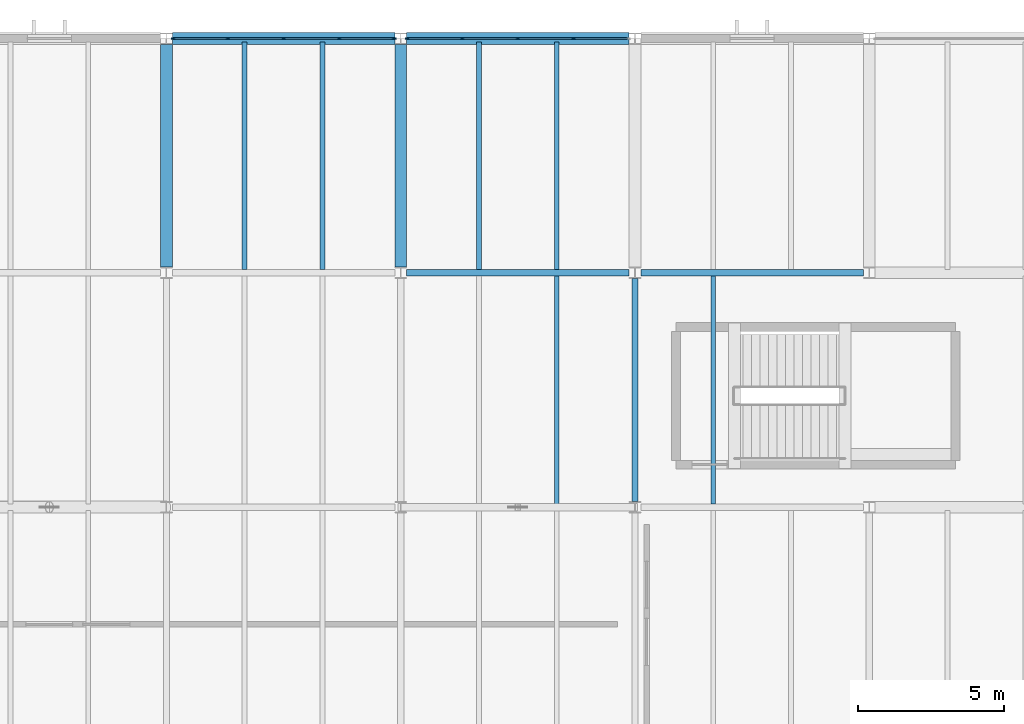
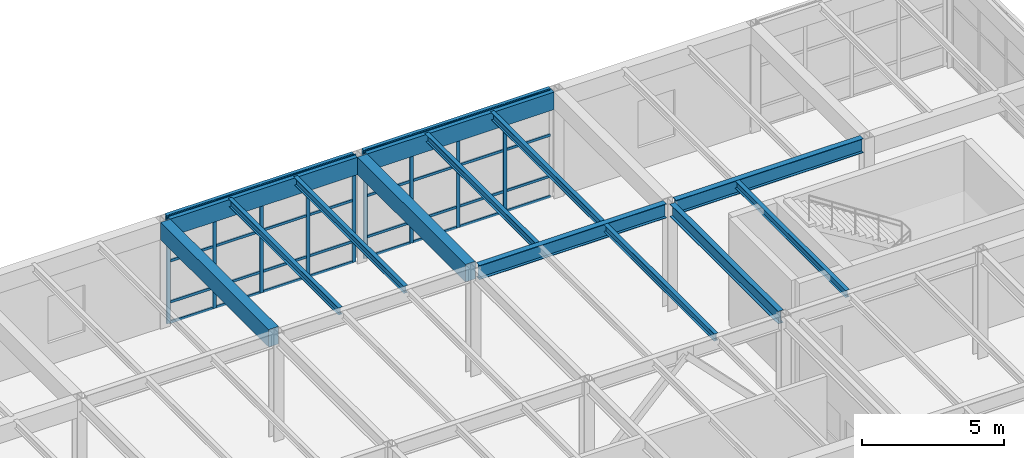
# One storey, part 23 of 60: 41 members, 13 beams, 2 elements without a shape of their own.
"""IFC4 building model written with IfcOpenShell, lengths in metres."""

from ifc_helpers import new_model, si_unit, direction, frame, origin, origin_2d, place, context, subcontext, project, spatial, rectangle, i_section, extrude, material, layer, layer_set, material_profile, profile_set, type_object, element, aggregate, save


model = new_model("IFC4")

# Units and contexts
model_context = context("Model", 3, precision=1e-05, world=origin(), true_north=direction((0.0, 1.0)))
body_context = subcontext(model_context, "Body", "Model", "MODEL_VIEW")
ifc_project = project(units=[si_unit("LENGTHUNIT", "METRE"), si_unit("AREAUNIT", "SQUARE_METRE"), si_unit("VOLUMEUNIT", "CUBIC_METRE"), si_unit("PLANEANGLEUNIT", "RADIAN"), si_unit("MASSUNIT", "GRAM", prefix="KILO")], contexts=[model_context])

# Site, building, storey
site_placement = place(None, origin())
site = spatial("IfcSite", under=ifc_project, at=site_placement, CompositionType="ELEMENT")
building_placement = place(site_placement, origin())
building = spatial("IfcBuilding", under=site, at=building_placement, Name="Varnela Railside Interchange", CompositionType="ELEMENT")
storey_placement = place(building_placement, frame((0.0, 0.0, 6.300048828125)))
storey = spatial("IfcBuildingStorey", under=building, at=storey_placement, Name="L01", CompositionType="ELEMENT", Elevation=6.300048828125)

# Beams
ifc_material_1 = material(Name="Steel AR 350 (350 MPa)", Category="steel")
ifc_material_profile_1 = material_profile(ifc_material_1, i_section(OverallWidth=0.1650390625, OverallDepth=0.31005859375, WebThickness=0.005859375, FlangeThickness=0.009765625, at=origin_2d()), Name="W310x38.7")
ifc_profile_set_1 = profile_set([ifc_material_profile_1], Name="Steel AR 350 (350 MPa)")
beam_type_1 = type_object("IfcBeamType", Name="Composite Floor Joist J-04", PredefinedType="JOIST", material=ifc_profile_set_1)
for number, where, z_axis, x_axis, name in (
    (1, (22.669921875, 86.114501953125, 4.445068359375), (0.0, 1.0, 0.0), (-1.0, 0.0, 0.0), "Composite Floor Joist J-04 (L01) (BM-1546)"),
    (2, (25.330078125, 86.114501953125, 4.445068359375), (0.0, 1.0, 0.0), (-1.0, 0.0, 0.0), "Composite Floor Joist J-04 (L01) (BM-1547)"),
    (3, (33.330078125, 78.114501953125, 4.445068359375), (0.0, 1.0, 0.0), (-1.0, 0.0, 0.0), "Composite Floor Joist J-04 (L01) (BM-1565)"),
    (4, (30.669921875, 86.114501953125, 4.445068359375), (0.0, 1.0, 0.0), (-1.0, 0.0, 0.0), "Composite Floor Joist J-04 (L01) (BM-1556)"),
    (5, (33.330078125, 86.114501953125, 4.445068359375), (0.0, 1.0, 0.0), (-1.0, 0.0, 0.0), "Composite Floor Joist J-04 (L01) (BM-1557)"),
    (6, (38.669921875, 78.114501953125, 4.445068359375), (0.0, 1.0, 0.0), (-1.0, 0.0, 0.0), "Composite Floor Joist J-04 (L01) (BM-1578)"),
):
    element("IfcBeam", number, at=place(storey_placement, frame(where, z_axis=z_axis, x_axis=x_axis)), inside=storey, type_object=beam_type_1, Name=name, PredefinedType="JOIST", context=body_context, shape_type="SweptSolid", body=[
        extrude(i_section(OverallWidth=0.1650390625, OverallDepth=0.31005859375, WebThickness=0.005859375, FlangeThickness=0.009765625, at=origin_2d()), origin(), (0.0, 0.0, 1.0), 7.77099609375),
    ])
ifc_material_profile_2 = material_profile(ifc_material_1, i_section(OverallWidth=0.2119140625, OverallDepth=0.5439453125, WebThickness=0.01318359375, FlangeThickness=0.021240234375, at=origin_2d()), Name="W530x123")
ifc_profile_set_2 = profile_set([ifc_material_profile_2], Name="Steel AR 350 (350 MPa)")
beam_type_2 = type_object("IfcBeamType", Name="Composite Heavy Girder B-16", PredefinedType="BEAM", material=ifc_profile_set_2)
beam_placement = place(storey_placement, frame((36.0, 78.193603515625, 4.327880859375), z_axis=(0.0, 1.0, 0.0), x_axis=(-1.0, 0.0, 0.0)))
element("IfcBeam", 7, at=beam_placement, inside=storey, type_object=beam_type_2, Name="Composite Heavy Girder B-16 (L01) (BM-1768)", PredefinedType="BEAM", context=body_context, shape_type="SweptSolid", body=[
    extrude(i_section(OverallWidth=0.2119140625, OverallDepth=0.5439453125, WebThickness=0.01318359375, FlangeThickness=0.021240234375, at=origin_2d()), origin(), (0.0, 0.0, 1.0), 7.61279296875),
])

# Curtain wall, members
ifc_material_2 = material(Name="Aluminium 6063-T6", Category="aluminium")
ifc_layer = layer(ifc_material_2, 0.035888671875)
ifc_layer_set = layer_set([ifc_layer], Name="Aluminium 6063-T6")
curtain_wall_type = type_object("IfcCurtainWallType", Name="Operations Wing Facade Curtain Wall CW-03", PredefinedType="USERDEFINED", material=ifc_layer_set)
curtain_wall_1_placement = place(storey_placement, origin())
curtain_wall_1 = element("IfcCurtainWall", 8, at=curtain_wall_1_placement, inside=storey, type_object=curtain_wall_type, Name="Curtain Wall CW-03 (L01) (CW-020)", ObjectType="CURTAIN WALL", PredefinedType="USERDEFINED")
ifc_material_profile_3 = material_profile(ifc_material_2, rectangle(XDim=0.06005859375, YDim=0.139892578125, at=origin_2d()), Name="ALU 60x140")
ifc_profile_set_3 = profile_set([ifc_material_profile_3], Name="Aluminium 6063-T6")
member_type_1 = type_object("IfcMemberType", Name="Curtain Wall Mullion ML-01", PredefinedType="MULLION", material=ifc_profile_set_3)
member_1_placement = place(storey_placement, frame((20.22900390625, 94.0, 0.0), z_axis=(0.0, 0.0, 1.0), x_axis=(0.0, 1.0, 0.0)))
member_1 = element("IfcMember", 9, at=member_1_placement, type_object=member_type_1, Name="CW-03 mullion 1", PredefinedType="MULLION", context=body_context, shape_type="SweptSolid", body=[
    extrude(rectangle(XDim=0.06005859375, YDim=0.139892578125, at=origin_2d()), origin(), (0.0, 0.0, 1.0), 4.599853515625),
])
member_2_placement = place(storey_placement, frame((22.099609375, 94.0, 0.0), z_axis=(0.0, 0.0, 1.0), x_axis=(0.0, 1.0, 0.0)))
member_2 = element("IfcMember", 10, at=member_2_placement, type_object=member_type_1, Name="CW-03 mullion 2", PredefinedType="MULLION", context=body_context, shape_type="SweptSolid", body=[
    extrude(rectangle(XDim=0.06005859375, YDim=0.139892578125, at=origin_2d()), origin(), (0.0, 0.0, 1.0), 4.599853515625),
])
member_3_placement = place(storey_placement, frame((24.0, 94.0, 0.0), z_axis=(0.0, 0.0, 1.0), x_axis=(0.0, 1.0, 0.0)))
member_3 = element("IfcMember", 11, at=member_3_placement, type_object=member_type_1, Name="CW-03 mullion 3", PredefinedType="MULLION", context=body_context, shape_type="SweptSolid", body=[
    extrude(rectangle(XDim=0.06005859375, YDim=0.139892578125, at=origin_2d()), origin(), (0.0, 0.0, 1.0), 4.599853515625),
])
member_4_placement = place(storey_placement, frame((25.900390625, 94.0, 0.0), z_axis=(0.0, 0.0, 1.0), x_axis=(0.0, 1.0, 0.0)))
member_4 = element("IfcMember", 12, at=member_4_placement, type_object=member_type_1, Name="CW-03 mullion 4", PredefinedType="MULLION", context=body_context, shape_type="SweptSolid", body=[
    extrude(rectangle(XDim=0.06005859375, YDim=0.139892578125, at=origin_2d()), origin(), (0.0, 0.0, 1.0), 4.599853515625),
])
member_5_placement = place(storey_placement, frame((27.77099609375, 94.0, 0.0), z_axis=(0.0, 0.0, 1.0), x_axis=(0.0, 1.0, 0.0)))
member_5 = element("IfcMember", 13, at=member_5_placement, type_object=member_type_1, Name="CW-03 mullion 5", PredefinedType="MULLION", context=body_context, shape_type="SweptSolid", body=[
    extrude(rectangle(XDim=0.06005859375, YDim=0.139892578125, at=origin_2d()), origin(), (0.0, 0.0, 1.0), 4.599853515625),
])

curtain_wall_2_placement = place(storey_placement, origin())
curtain_wall_2 = element("IfcCurtainWall", 14, at=curtain_wall_2_placement, inside=storey, type_object=curtain_wall_type, Name="Curtain Wall CW-03 (L01) (CW-021)", ObjectType="CURTAIN WALL", PredefinedType="USERDEFINED")
member_6_placement = place(storey_placement, frame((28.22900390625, 94.0, 0.0), z_axis=(0.0, 0.0, 1.0), x_axis=(0.0, 1.0, 0.0)))
member_6 = element("IfcMember", 15, at=member_6_placement, type_object=member_type_1, Name="CW-03 mullion 1", PredefinedType="MULLION", context=body_context, shape_type="SweptSolid", body=[
    extrude(rectangle(XDim=0.06005859375, YDim=0.139892578125, at=origin_2d()), origin(), (0.0, 0.0, 1.0), 4.599853515625),
])
member_7_placement = place(storey_placement, frame((30.099609375, 94.0, 0.0), z_axis=(0.0, 0.0, 1.0), x_axis=(0.0, 1.0, 0.0)))
member_7 = element("IfcMember", 16, at=member_7_placement, type_object=member_type_1, Name="CW-03 mullion 2", PredefinedType="MULLION", context=body_context, shape_type="SweptSolid", body=[
    extrude(rectangle(XDim=0.06005859375, YDim=0.139892578125, at=origin_2d()), origin(), (0.0, 0.0, 1.0), 4.599853515625),
])
member_8_placement = place(storey_placement, frame((32.0, 94.0, 0.0), z_axis=(0.0, 0.0, 1.0), x_axis=(0.0, 1.0, 0.0)))
member_8 = element("IfcMember", 17, at=member_8_placement, type_object=member_type_1, Name="CW-03 mullion 3", PredefinedType="MULLION", context=body_context, shape_type="SweptSolid", body=[
    extrude(rectangle(XDim=0.06005859375, YDim=0.139892578125, at=origin_2d()), origin(), (0.0, 0.0, 1.0), 4.599853515625),
])
member_9_placement = place(storey_placement, frame((33.900390625, 94.0, 0.0), z_axis=(0.0, 0.0, 1.0), x_axis=(0.0, 1.0, 0.0)))
member_9 = element("IfcMember", 18, at=member_9_placement, type_object=member_type_1, Name="CW-03 mullion 4", PredefinedType="MULLION", context=body_context, shape_type="SweptSolid", body=[
    extrude(rectangle(XDim=0.06005859375, YDim=0.139892578125, at=origin_2d()), origin(), (0.0, 0.0, 1.0), 4.599853515625),
])

# Member
ifc_material_profile_4 = material_profile(ifc_material_2, rectangle(XDim=0.06005859375, YDim=0.110107421875, at=origin_2d()), Name="ALU 60x110")
ifc_profile_set_4 = profile_set([ifc_material_profile_4], Name="Aluminium 6063-T6")
member_type_2 = type_object("IfcMemberType", Name="Curtain Wall Transom TR-01", PredefinedType="USERDEFINED", material=ifc_profile_set_4)
member_10_placement = place(storey_placement, frame((20.259033203125, 94.0, 0.030029296875), z_axis=(1.0, 0.0, 0.0), x_axis=(0.0, 1.0, 0.0)))
member_10 = element("IfcMember", 19, at=member_10_placement, type_object=member_type_2, Name="CW-03 transom 1.1", ObjectType="TRANSOM", PredefinedType="USERDEFINED", context=body_context, shape_type="SweptSolid", body=[
    extrude(rectangle(XDim=0.06005859375, YDim=0.110107421875, at=origin_2d()), origin(), (0.0, 0.0, 1.0), 1.810546875),
])

member_11_placement = place(storey_placement, frame((20.259033203125, 94.0, 0.89990234375), z_axis=(1.0, 0.0, 0.0), x_axis=(0.0, 1.0, 0.0)))
member_11 = element("IfcMember", 20, at=member_11_placement, type_object=member_type_2, Name="CW-03 transom 1.2", ObjectType="TRANSOM", PredefinedType="USERDEFINED", context=body_context, shape_type="SweptSolid", body=[
    extrude(rectangle(XDim=0.06005859375, YDim=0.110107421875, at=origin_2d()), origin(), (0.0, 0.0, 1.0), 1.810546875),
])

member_12_placement = place(storey_placement, frame((20.259033203125, 94.0, 2.66796875), z_axis=(1.0, 0.0, 0.0), x_axis=(0.0, 1.0, 0.0)))
member_12 = element("IfcMember", 21, at=member_12_placement, type_object=member_type_2, Name="CW-03 transom 1.3", ObjectType="TRANSOM", PredefinedType="USERDEFINED", context=body_context, shape_type="SweptSolid", body=[
    extrude(rectangle(XDim=0.06005859375, YDim=0.110107421875, at=origin_2d()), origin(), (0.0, 0.0, 1.0), 1.810546875),
])

member_13_placement = place(storey_placement, frame((20.259033203125, 94.0, 4.570068359375), z_axis=(1.0, 0.0, 0.0), x_axis=(0.0, 1.0, 0.0)))
member_13 = element("IfcMember", 22, at=member_13_placement, type_object=member_type_2, Name="CW-03 transom 1.4", ObjectType="TRANSOM", PredefinedType="USERDEFINED", context=body_context, shape_type="SweptSolid", body=[
    extrude(rectangle(XDim=0.06005859375, YDim=0.110107421875, at=origin_2d()), origin(), (0.0, 0.0, 1.0), 1.810546875),
])

member_14_placement = place(storey_placement, frame((22.12939453125, 94.0, 0.030029296875), z_axis=(1.0, 0.0, 0.0), x_axis=(0.0, 1.0, 0.0)))
member_14 = element("IfcMember", 23, at=member_14_placement, type_object=member_type_2, Name="CW-03 transom 2.1", ObjectType="TRANSOM", PredefinedType="USERDEFINED", context=body_context, shape_type="SweptSolid", body=[
    extrude(rectangle(XDim=0.06005859375, YDim=0.110107421875, at=origin_2d()), origin(), (0.0, 0.0, 1.0), 1.840576171875),
])

member_15_placement = place(storey_placement, frame((22.12939453125, 94.0, 0.89990234375), z_axis=(1.0, 0.0, 0.0), x_axis=(0.0, 1.0, 0.0)))
member_15 = element("IfcMember", 24, at=member_15_placement, type_object=member_type_2, Name="CW-03 transom 2.2", ObjectType="TRANSOM", PredefinedType="USERDEFINED", context=body_context, shape_type="SweptSolid", body=[
    extrude(rectangle(XDim=0.06005859375, YDim=0.110107421875, at=origin_2d()), origin(), (0.0, 0.0, 1.0), 1.840576171875),
])

member_16_placement = place(storey_placement, frame((22.12939453125, 94.0, 2.66796875), z_axis=(1.0, 0.0, 0.0), x_axis=(0.0, 1.0, 0.0)))
member_16 = element("IfcMember", 25, at=member_16_placement, type_object=member_type_2, Name="CW-03 transom 2.3", ObjectType="TRANSOM", PredefinedType="USERDEFINED", context=body_context, shape_type="SweptSolid", body=[
    extrude(rectangle(XDim=0.06005859375, YDim=0.110107421875, at=origin_2d()), origin(), (0.0, 0.0, 1.0), 1.840576171875),
])

member_17_placement = place(storey_placement, frame((22.12939453125, 94.0, 4.570068359375), z_axis=(1.0, 0.0, 0.0), x_axis=(0.0, 1.0, 0.0)))
member_17 = element("IfcMember", 26, at=member_17_placement, type_object=member_type_2, Name="CW-03 transom 2.4", ObjectType="TRANSOM", PredefinedType="USERDEFINED", context=body_context, shape_type="SweptSolid", body=[
    extrude(rectangle(XDim=0.06005859375, YDim=0.110107421875, at=origin_2d()), origin(), (0.0, 0.0, 1.0), 1.840576171875),
])

member_18_placement = place(storey_placement, frame((24.030029296875, 94.0, 0.030029296875), z_axis=(1.0, 0.0, 0.0), x_axis=(0.0, 1.0, 0.0)))
member_18 = element("IfcMember", 27, at=member_18_placement, type_object=member_type_2, Name="CW-03 transom 3.1", ObjectType="TRANSOM", PredefinedType="USERDEFINED", context=body_context, shape_type="SweptSolid", body=[
    extrude(rectangle(XDim=0.06005859375, YDim=0.110107421875, at=origin_2d()), origin(), (0.0, 0.0, 1.0), 1.840576171875),
])

member_19_placement = place(storey_placement, frame((24.030029296875, 94.0, 0.89990234375), z_axis=(1.0, 0.0, 0.0), x_axis=(0.0, 1.0, 0.0)))
member_19 = element("IfcMember", 28, at=member_19_placement, type_object=member_type_2, Name="CW-03 transom 3.2", ObjectType="TRANSOM", PredefinedType="USERDEFINED", context=body_context, shape_type="SweptSolid", body=[
    extrude(rectangle(XDim=0.06005859375, YDim=0.110107421875, at=origin_2d()), origin(), (0.0, 0.0, 1.0), 1.840576171875),
])

member_20_placement = place(storey_placement, frame((24.030029296875, 94.0, 2.66796875), z_axis=(1.0, 0.0, 0.0), x_axis=(0.0, 1.0, 0.0)))
member_20 = element("IfcMember", 29, at=member_20_placement, type_object=member_type_2, Name="CW-03 transom 3.3", ObjectType="TRANSOM", PredefinedType="USERDEFINED", context=body_context, shape_type="SweptSolid", body=[
    extrude(rectangle(XDim=0.06005859375, YDim=0.110107421875, at=origin_2d()), origin(), (0.0, 0.0, 1.0), 1.840576171875),
])

member_21_placement = place(storey_placement, frame((24.030029296875, 94.0, 4.570068359375), z_axis=(1.0, 0.0, 0.0), x_axis=(0.0, 1.0, 0.0)))
member_21 = element("IfcMember", 30, at=member_21_placement, type_object=member_type_2, Name="CW-03 transom 3.4", ObjectType="TRANSOM", PredefinedType="USERDEFINED", context=body_context, shape_type="SweptSolid", body=[
    extrude(rectangle(XDim=0.06005859375, YDim=0.110107421875, at=origin_2d()), origin(), (0.0, 0.0, 1.0), 1.840576171875),
])

member_22_placement = place(storey_placement, frame((25.930419921875, 94.0, 0.030029296875), z_axis=(1.0, 0.0, 0.0), x_axis=(0.0, 1.0, 0.0)))
member_22 = element("IfcMember", 31, at=member_22_placement, type_object=member_type_2, Name="CW-03 transom 4.1", ObjectType="TRANSOM", PredefinedType="USERDEFINED", context=body_context, shape_type="SweptSolid", body=[
    extrude(rectangle(XDim=0.06005859375, YDim=0.110107421875, at=origin_2d()), origin(), (0.0, 0.0, 1.0), 1.810546875),
])

member_23_placement = place(storey_placement, frame((25.930419921875, 94.0, 0.89990234375), z_axis=(1.0, 0.0, 0.0), x_axis=(0.0, 1.0, 0.0)))
member_23 = element("IfcMember", 32, at=member_23_placement, type_object=member_type_2, Name="CW-03 transom 4.2", ObjectType="TRANSOM", PredefinedType="USERDEFINED", context=body_context, shape_type="SweptSolid", body=[
    extrude(rectangle(XDim=0.06005859375, YDim=0.110107421875, at=origin_2d()), origin(), (0.0, 0.0, 1.0), 1.810546875),
])

member_24_placement = place(storey_placement, frame((25.930419921875, 94.0, 2.66796875), z_axis=(1.0, 0.0, 0.0), x_axis=(0.0, 1.0, 0.0)))
member_24 = element("IfcMember", 33, at=member_24_placement, type_object=member_type_2, Name="CW-03 transom 4.3", ObjectType="TRANSOM", PredefinedType="USERDEFINED", context=body_context, shape_type="SweptSolid", body=[
    extrude(rectangle(XDim=0.06005859375, YDim=0.110107421875, at=origin_2d()), origin(), (0.0, 0.0, 1.0), 1.810546875),
])

member_25_placement = place(storey_placement, frame((25.930419921875, 94.0, 4.570068359375), z_axis=(1.0, 0.0, 0.0), x_axis=(0.0, 1.0, 0.0)))
member_25 = element("IfcMember", 34, at=member_25_placement, type_object=member_type_2, Name="CW-03 transom 4.4", ObjectType="TRANSOM", PredefinedType="USERDEFINED", context=body_context, shape_type="SweptSolid", body=[
    extrude(rectangle(XDim=0.06005859375, YDim=0.110107421875, at=origin_2d()), origin(), (0.0, 0.0, 1.0), 1.810546875),
])

aggregate(curtain_wall_1, [member_1, member_2, member_3, member_4, member_5, member_10, member_11, member_12, member_13, member_14, member_15, member_16, member_17, member_18, member_19, member_20, member_21, member_22, member_23, member_24, member_25])

member_26_placement = place(storey_placement, frame((28.259033203125, 94.0, 0.030029296875), z_axis=(1.0, 0.0, 0.0), x_axis=(0.0, 1.0, 0.0)))
member_26 = element("IfcMember", 35, at=member_26_placement, type_object=member_type_2, Name="CW-03 transom 1.1", ObjectType="TRANSOM", PredefinedType="USERDEFINED", context=body_context, shape_type="SweptSolid", body=[
    extrude(rectangle(XDim=0.06005859375, YDim=0.110107421875, at=origin_2d()), origin(), (0.0, 0.0, 1.0), 1.810546875),
])

member_27_placement = place(storey_placement, frame((28.259033203125, 94.0, 0.89990234375), z_axis=(1.0, 0.0, 0.0), x_axis=(0.0, 1.0, 0.0)))
member_27 = element("IfcMember", 36, at=member_27_placement, type_object=member_type_2, Name="CW-03 transom 1.2", ObjectType="TRANSOM", PredefinedType="USERDEFINED", context=body_context, shape_type="SweptSolid", body=[
    extrude(rectangle(XDim=0.06005859375, YDim=0.110107421875, at=origin_2d()), origin(), (0.0, 0.0, 1.0), 1.810546875),
])

member_28_placement = place(storey_placement, frame((28.259033203125, 94.0, 2.66796875), z_axis=(1.0, 0.0, 0.0), x_axis=(0.0, 1.0, 0.0)))
member_28 = element("IfcMember", 37, at=member_28_placement, type_object=member_type_2, Name="CW-03 transom 1.3", ObjectType="TRANSOM", PredefinedType="USERDEFINED", context=body_context, shape_type="SweptSolid", body=[
    extrude(rectangle(XDim=0.06005859375, YDim=0.110107421875, at=origin_2d()), origin(), (0.0, 0.0, 1.0), 1.810546875),
])

member_29_placement = place(storey_placement, frame((28.259033203125, 94.0, 4.570068359375), z_axis=(1.0, 0.0, 0.0), x_axis=(0.0, 1.0, 0.0)))
member_29 = element("IfcMember", 38, at=member_29_placement, type_object=member_type_2, Name="CW-03 transom 1.4", ObjectType="TRANSOM", PredefinedType="USERDEFINED", context=body_context, shape_type="SweptSolid", body=[
    extrude(rectangle(XDim=0.06005859375, YDim=0.110107421875, at=origin_2d()), origin(), (0.0, 0.0, 1.0), 1.810546875),
])

member_30_placement = place(storey_placement, frame((30.12939453125, 94.0, 0.030029296875), z_axis=(1.0, 0.0, 0.0), x_axis=(0.0, 1.0, 0.0)))
member_30 = element("IfcMember", 39, at=member_30_placement, type_object=member_type_2, Name="CW-03 transom 2.1", ObjectType="TRANSOM", PredefinedType="USERDEFINED", context=body_context, shape_type="SweptSolid", body=[
    extrude(rectangle(XDim=0.06005859375, YDim=0.110107421875, at=origin_2d()), origin(), (0.0, 0.0, 1.0), 1.840576171875),
])

member_31_placement = place(storey_placement, frame((30.12939453125, 94.0, 0.89990234375), z_axis=(1.0, 0.0, 0.0), x_axis=(0.0, 1.0, 0.0)))
member_31 = element("IfcMember", 40, at=member_31_placement, type_object=member_type_2, Name="CW-03 transom 2.2", ObjectType="TRANSOM", PredefinedType="USERDEFINED", context=body_context, shape_type="SweptSolid", body=[
    extrude(rectangle(XDim=0.06005859375, YDim=0.110107421875, at=origin_2d()), origin(), (0.0, 0.0, 1.0), 1.840576171875),
])

member_32_placement = place(storey_placement, frame((30.12939453125, 94.0, 2.66796875), z_axis=(1.0, 0.0, 0.0), x_axis=(0.0, 1.0, 0.0)))
member_32 = element("IfcMember", 41, at=member_32_placement, type_object=member_type_2, Name="CW-03 transom 2.3", ObjectType="TRANSOM", PredefinedType="USERDEFINED", context=body_context, shape_type="SweptSolid", body=[
    extrude(rectangle(XDim=0.06005859375, YDim=0.110107421875, at=origin_2d()), origin(), (0.0, 0.0, 1.0), 1.840576171875),
])

member_33_placement = place(storey_placement, frame((30.12939453125, 94.0, 4.570068359375), z_axis=(1.0, 0.0, 0.0), x_axis=(0.0, 1.0, 0.0)))
member_33 = element("IfcMember", 42, at=member_33_placement, type_object=member_type_2, Name="CW-03 transom 2.4", ObjectType="TRANSOM", PredefinedType="USERDEFINED", context=body_context, shape_type="SweptSolid", body=[
    extrude(rectangle(XDim=0.06005859375, YDim=0.110107421875, at=origin_2d()), origin(), (0.0, 0.0, 1.0), 1.840576171875),
])

member_34_placement = place(storey_placement, frame((32.030029296875, 94.0, 0.030029296875), z_axis=(1.0, 0.0, 0.0), x_axis=(0.0, 1.0, 0.0)))
member_34 = element("IfcMember", 43, at=member_34_placement, type_object=member_type_2, Name="CW-03 transom 3.1", ObjectType="TRANSOM", PredefinedType="USERDEFINED", context=body_context, shape_type="SweptSolid", body=[
    extrude(rectangle(XDim=0.06005859375, YDim=0.110107421875, at=origin_2d()), origin(), (0.0, 0.0, 1.0), 1.840576171875),
])

member_35_placement = place(storey_placement, frame((32.030029296875, 94.0, 0.89990234375), z_axis=(1.0, 0.0, 0.0), x_axis=(0.0, 1.0, 0.0)))
member_35 = element("IfcMember", 44, at=member_35_placement, type_object=member_type_2, Name="CW-03 transom 3.2", ObjectType="TRANSOM", PredefinedType="USERDEFINED", context=body_context, shape_type="SweptSolid", body=[
    extrude(rectangle(XDim=0.06005859375, YDim=0.110107421875, at=origin_2d()), origin(), (0.0, 0.0, 1.0), 1.840576171875),
])

member_36_placement = place(storey_placement, frame((32.030029296875, 94.0, 2.66796875), z_axis=(1.0, 0.0, 0.0), x_axis=(0.0, 1.0, 0.0)))
member_36 = element("IfcMember", 45, at=member_36_placement, type_object=member_type_2, Name="CW-03 transom 3.3", ObjectType="TRANSOM", PredefinedType="USERDEFINED", context=body_context, shape_type="SweptSolid", body=[
    extrude(rectangle(XDim=0.06005859375, YDim=0.110107421875, at=origin_2d()), origin(), (0.0, 0.0, 1.0), 1.840576171875),
])

member_37_placement = place(storey_placement, frame((32.030029296875, 94.0, 4.570068359375), z_axis=(1.0, 0.0, 0.0), x_axis=(0.0, 1.0, 0.0)))
member_37 = element("IfcMember", 46, at=member_37_placement, type_object=member_type_2, Name="CW-03 transom 3.4", ObjectType="TRANSOM", PredefinedType="USERDEFINED", context=body_context, shape_type="SweptSolid", body=[
    extrude(rectangle(XDim=0.06005859375, YDim=0.110107421875, at=origin_2d()), origin(), (0.0, 0.0, 1.0), 1.840576171875),
])

member_38_placement = place(storey_placement, frame((33.930419921875, 94.0, 0.030029296875), z_axis=(1.0, 0.0, 0.0), x_axis=(0.0, 1.0, 0.0)))
member_38 = element("IfcMember", 47, at=member_38_placement, type_object=member_type_2, Name="CW-03 transom 4.1", ObjectType="TRANSOM", PredefinedType="USERDEFINED", context=body_context, shape_type="SweptSolid", body=[
    extrude(rectangle(XDim=0.06005859375, YDim=0.110107421875, at=origin_2d()), origin(), (0.0, 0.0, 1.0), 1.810546875),
])

member_39_placement = place(storey_placement, frame((33.930419921875, 94.0, 0.89990234375), z_axis=(1.0, 0.0, 0.0), x_axis=(0.0, 1.0, 0.0)))
member_39 = element("IfcMember", 48, at=member_39_placement, type_object=member_type_2, Name="CW-03 transom 4.2", ObjectType="TRANSOM", PredefinedType="USERDEFINED", context=body_context, shape_type="SweptSolid", body=[
    extrude(rectangle(XDim=0.06005859375, YDim=0.110107421875, at=origin_2d()), origin(), (0.0, 0.0, 1.0), 1.810546875),
])

member_40_placement = place(storey_placement, frame((33.930419921875, 94.0, 2.66796875), z_axis=(1.0, 0.0, 0.0), x_axis=(0.0, 1.0, 0.0)))
member_40 = element("IfcMember", 49, at=member_40_placement, type_object=member_type_2, Name="CW-03 transom 4.3", ObjectType="TRANSOM", PredefinedType="USERDEFINED", context=body_context, shape_type="SweptSolid", body=[
    extrude(rectangle(XDim=0.06005859375, YDim=0.110107421875, at=origin_2d()), origin(), (0.0, 0.0, 1.0), 1.810546875),
])

member_41_placement = place(storey_placement, frame((33.930419921875, 94.0, 4.570068359375), z_axis=(1.0, 0.0, 0.0), x_axis=(0.0, 1.0, 0.0)))
member_41 = element("IfcMember", 50, at=member_41_placement, type_object=member_type_2, Name="CW-03 transom 4.4", ObjectType="TRANSOM", PredefinedType="USERDEFINED", context=body_context, shape_type="SweptSolid", body=[
    extrude(rectangle(XDim=0.06005859375, YDim=0.110107421875, at=origin_2d()), origin(), (0.0, 0.0, 1.0), 1.810546875),
])

aggregate(curtain_wall_2, [member_6, member_7, member_8, member_9, member_26, member_27, member_28, member_29, member_30, member_31, member_32, member_33, member_34, member_35, member_36, member_37, member_38, member_39, member_40, member_41])

# Beams
ifc_material_profile_5 = material_profile(ifc_material_1, i_section(OverallWidth=0.22900390625, OverallDepth=0.612060546875, WebThickness=0.011962890625, FlangeThickness=0.01953125, at=origin_2d()), Name="W610x125")
ifc_profile_set_5 = profile_set([ifc_material_profile_5], Name="Steel AR 350 (350 MPa)")
beam_type_3 = type_object("IfcBeamType", Name="Podium Composite Girder B-15", PredefinedType="BEAM", material=ifc_profile_set_5)
for number, where, z_axis, x_axis, name in (
    (51, (28.198974609375, 86.0, 4.2939453125), (1.0, 0.0, 0.0), (0.0, 1.0, 0.0), "Podium Composite Girder B-15 (L01) (BM-1689)"),
    (52, (36.198974609375, 86.0, 4.2939453125), (1.0, 0.0, 0.0), (0.0, 1.0, 0.0), "Podium Composite Girder B-15 (L01) (BM-1690)"),
):
    element("IfcBeam", number, at=place(storey_placement, frame(where, z_axis=z_axis, x_axis=x_axis)), inside=storey, type_object=beam_type_3, Name=name, PredefinedType="BEAM", context=body_context, shape_type="SweptSolid", body=[
        extrude(i_section(OverallWidth=0.22900390625, OverallDepth=0.612060546875, WebThickness=0.011962890625, FlangeThickness=0.01953125, at=origin_2d()), origin(), (0.0, 0.0, 1.0), 7.60205078125),
    ])
ifc_material_3 = material(Name="Concrete C40 precast", Category="concrete")
ifc_material_profile_6 = material_profile(ifc_material_3, rectangle(XDim=0.39990234375, YDim=0.75, at=origin_2d()), Name="PC 400x750")
ifc_profile_set_6 = profile_set([ifc_material_profile_6], Name="Concrete C40 precast")
beam_type_4 = type_object("IfcBeamType", Name="Precast Facade Spandrel SP-03", PredefinedType="SPANDREL", material=ifc_profile_set_6)
for number, where, z_axis, x_axis, name in (
    (53, (20.198974609375, 94.0, 4.224853515625), (1.0, 0.0, 0.0), (0.0, 1.0, 0.0), "Precast Facade Spandrel SP-03 (L01) (BM-1697)"),
    (54, (28.198974609375, 94.0, 4.224853515625), (1.0, 0.0, 0.0), (0.0, 1.0, 0.0), "Precast Facade Spandrel SP-03 (L01) (BM-1698)"),
):
    element("IfcBeam", number, at=place(storey_placement, frame(where, z_axis=z_axis, x_axis=x_axis)), inside=storey, type_object=beam_type_4, Name=name, PredefinedType="SPANDREL", context=body_context, shape_type="SweptSolid", body=[
        extrude(rectangle(XDim=0.39990234375, YDim=0.75, at=origin_2d()), origin(), (0.0, 0.0, 1.0), 7.60205078125),
    ])
for number, where, z_axis, x_axis, name in (
    (55, (20.0, 86.193603515625, 4.224853515625), (0.0, 1.0, 0.0), (-1.0, 0.0, 0.0), "Precast Facade Spandrel SP-03 (L01) (BM-1759)"),
    (56, (28.0, 86.193603515625, 4.224853515625), (0.0, 1.0, 0.0), (-1.0, 0.0, 0.0), "Precast Facade Spandrel SP-03 (L01) (BM-1764)"),
):
    element("IfcBeam", number, at=place(storey_placement, frame(where, z_axis=z_axis, x_axis=x_axis)), inside=storey, type_object=beam_type_4, Name=name, PredefinedType="SPANDREL", context=body_context, shape_type="SweptSolid", body=[
        extrude(rectangle(XDim=0.39990234375, YDim=0.75, at=origin_2d()), origin(), (0.0, 0.0, 1.0), 7.61279296875),
    ])

save(model, "model.ifc")
